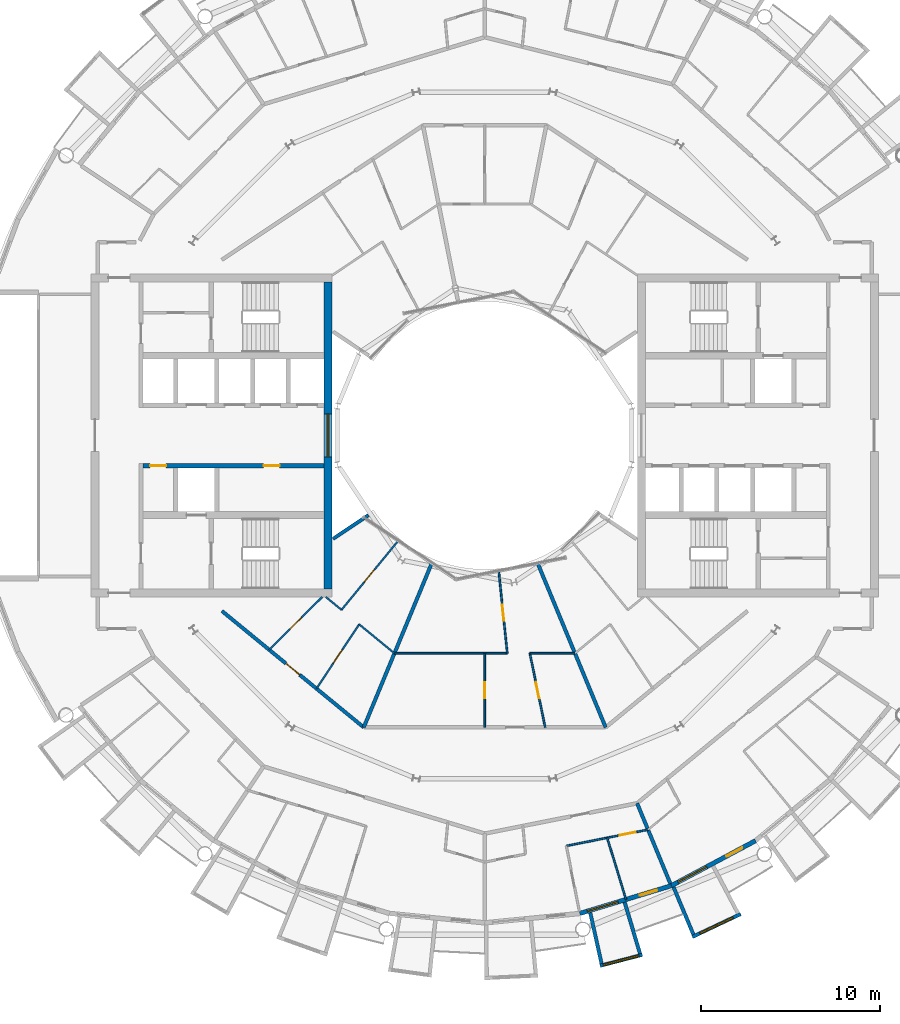
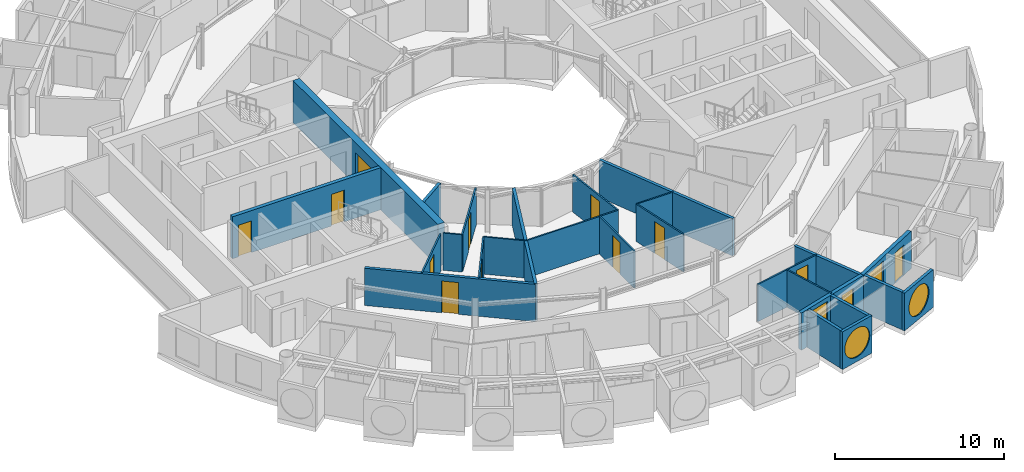
# One storey, part 17 of 27: 26 walls, 12 doors, 5 windows, 17 openings.
"""IFC4 building model written with IfcOpenShell, lengths in metres."""

from ifc_helpers import new_model, si_unit, direction, frame, frame_2d, origin, place, context, subcontext, project, spatial, rectangle, circle, extrude, material, layer, layer_set, type_object, element, fill, save


model = new_model("IFC4")

# Units and contexts
model_context = context("Model", 3, precision=1e-05, world=origin(), true_north=direction((0.0, 1.0)))
body_context = subcontext(model_context, "Body", "Model", "MODEL_VIEW")
ifc_project = project(units=[si_unit("LENGTHUNIT", "METRE"), si_unit("AREAUNIT", "SQUARE_METRE"), si_unit("VOLUMEUNIT", "CUBIC_METRE"), si_unit("PLANEANGLEUNIT", "RADIAN"), si_unit("MASSUNIT", "GRAM", prefix="KILO")], contexts=[model_context])

# Site, building, storey
site_placement = place(None, origin())
site = spatial("IfcSite", under=ifc_project, at=site_placement, CompositionType="ELEMENT")
building_placement = place(site_placement, origin())
building = spatial("IfcBuilding", under=site, at=building_placement, Name="Maasbend Ring Residences", CompositionType="ELEMENT")
storey_placement = place(building_placement, frame((0.0, 0.0, 199.35009765625)))
storey = spatial("IfcBuildingStorey", under=building, at=storey_placement, Name="L57", CompositionType="ELEMENT", Elevation=199.35009765625)

# Wall, openings, doors
ifc_material_1 = material(Name="Concrete C50/60", Category="concrete")
ifc_layer_1 = layer(ifc_material_1, 0.25)
ifc_layer_set_1 = layer_set([ifc_layer_1], Name="Concrete C50/60")
wall_type_1 = type_object("IfcWallType", Name="CORE WALL 250 C50/60", PredefinedType="SHEAR", material=ifc_layer_set_1)
wall_1_placement = place(storey_placement, frame((-9.0, -1.699951171875, 0.0), z_axis=(0.0, 0.0, 1.0), x_axis=(-1.0, 0.0, 0.0)))
wall_1 = element("IfcWall", 1, at=wall_1_placement, inside=storey, type_object=wall_type_1, Name="L57 core W wall SPN", PredefinedType="SHEAR", context=body_context, shape_type="SweptSolid", body=[
    extrude(rectangle(XDim=10.14990234375, YDim=0.25, at=frame_2d((5.074951171875, 0.0))), origin(), (0.0, 0.0, 1.0), 3.0498046875),
])
opening_1_placement = place(wall_1_placement, frame((2.487548828125, 0.0, 0.0)))
opening_1 = element("IfcOpeningElement", 2, at=opening_1_placement, cuts=wall_1, Name="Opening D-W5706", PredefinedType="OPENING", context=body_context, shape_type="SweptSolid", body=[
    extrude(rectangle(XDim=0.89990234375, YDim=2.300048828125, at=frame_2d((0.449951171875, 1.14990234375))), frame((0.0, 0.135009765625, 0.0), z_axis=(0.0, -1.0, 0.0), x_axis=(1.0, 0.0, 0.0)), (0.0, 0.0, 1.0), 0.27001953125),
])
opening_2_placement = place(wall_1_placement, frame((8.83740234375, 0.0, 0.0)))
opening_2 = element("IfcOpeningElement", 3, at=opening_2_placement, cuts=wall_1, Name="Opening D-W5707", PredefinedType="OPENING", context=body_context, shape_type="SweptSolid", body=[
    extrude(rectangle(XDim=0.89990234375, YDim=2.300048828125, at=frame_2d((0.449951171875, 1.14990234375))), frame((0.0, 0.135009765625, 0.0), z_axis=(0.0, -1.0, 0.0), x_axis=(1.0, 0.0, 0.0)), (0.0, 0.0, 1.0), 0.27001953125),
])
ifc_material_2 = material(Name="Steel, powder coated", Category="steel")
door_type_1 = type_object("IfcDoorType", Name="ROOM DOOR 900 X 2300 FD30S", OperationType="NOTDEFINED", PredefinedType="DOOR", material=ifc_material_2)
door_1_placement = place(opening_1_placement, origin())
door_1 = element("IfcDoor", 4, at=door_1_placement, inside=storey, type_object=door_type_1, Name="Room door L57", OperationType="SINGLE_SWING_RIGHT", OverallHeight=2.300048828125, OverallWidth=0.89990234375, PredefinedType="DOOR", context=body_context, shape_type="SweptSolid", body=[
    extrude(rectangle(XDim=0.89990234375, YDim=2.300048828125, at=frame_2d((0.449951171875, 1.14990234375))), frame((0.0, 0.02490234375, 0.0), z_axis=(0.0, -1.0, 0.0), x_axis=(1.0, 0.0, 0.0)), (0.0, 0.0, 1.0), 0.050048828125),
])
fill(opening_1, door_1)
door_2_placement = place(opening_2_placement, origin())
door_2 = element("IfcDoor", 5, at=door_2_placement, inside=storey, type_object=door_type_1, Name="Room door L57", OperationType="SINGLE_SWING_LEFT", OverallHeight=2.300048828125, OverallWidth=0.89990234375, PredefinedType="DOOR", context=body_context, shape_type="SweptSolid", body=[
    extrude(rectangle(XDim=0.89990234375, YDim=2.300048828125, at=frame_2d((0.449951171875, 1.14990234375))), frame((0.0, 0.02490234375, 0.0), z_axis=(0.0, -1.0, 0.0), x_axis=(1.0, 0.0, 0.0)), (0.0, 0.0, 1.0), 0.050048828125),
])
fill(opening_2, door_2)

# Wall, opening, window
ifc_material_3 = material(Name="Concrete C50/60", Category="concrete")
ifc_layer_2 = layer(ifc_material_3, 0.449951171875)
ifc_layer_set_2 = layer_set([ifc_layer_2], Name="Concrete C50/60")
wall_type_2 = type_object("IfcWallType", Name="CORE WALL 450 C50/60", PredefinedType="SHEAR", material=ifc_layer_set_2)
wall_2_placement = place(storey_placement, frame((-8.77490234375, 8.60009765625, 0.0), z_axis=(0.0, 0.0, 1.0), x_axis=(0.0, -1.0, 0.0)))
wall_2 = element("IfcWall", 6, at=wall_2_placement, inside=storey, type_object=wall_type_2, Name="L57 core W wall PIN", PredefinedType="SHEAR", context=body_context, shape_type="SweptSolid", body=[
    extrude(rectangle(XDim=17.2001953125, YDim=0.449951171875, at=frame_2d((8.60009765625, 0.0))), origin(), (0.0, 0.0, 1.0), 3.0498046875),
])
opening_3_placement = place(wall_2_placement, frame((7.39990234375, 0.0, 0.10009765625)))
opening_3 = element("IfcOpeningElement", 7, at=opening_3_placement, cuts=wall_2, Name="Opening W-W5701", PredefinedType="OPENING", context=body_context, shape_type="SweptSolid", body=[
    extrude(rectangle(XDim=2.39990234375, YDim=2.199951171875, at=frame_2d((1.199951171875, 1.10009765625))), frame((0.0, 0.23486328125, 0.0), z_axis=(0.0, -1.0, 0.0), x_axis=(1.0, 0.0, 0.0)), (0.0, 0.0, 1.0), 0.469970703125),
])
ifc_material_4 = material(Name="Aluminium frame and clear glass", Category="aluminium")
window_type_1 = type_object("IfcWindowType", Name="FIXED WINDOW 2400 X 2200", PartitioningType="SINGLE_PANEL", PredefinedType="WINDOW", material=ifc_material_4)
window_1_placement = place(opening_3_placement, origin())
window_1 = element("IfcWindow", 8, at=window_1_placement, inside=storey, type_object=window_type_1, Name="Lobby window L57", OverallHeight=2.199951171875, OverallWidth=2.39990234375, PartitioningType="SINGLE_PANEL", PredefinedType="WINDOW", context=body_context, shape_type="SweptSolid", body=[
    extrude(rectangle(XDim=2.39990234375, YDim=2.199951171875, at=frame_2d((1.199951171875, 1.10009765625))), frame((0.0, 0.030029296875, 0.0), z_axis=(0.0, -1.0, 0.0), x_axis=(1.0, 0.0, 0.0)), (0.0, 0.0, 1.0), 0.06005859375),
])
fill(opening_3, window_1)

# Wall, opening, door
ifc_material_5 = material(Name="Concrete C30/37", Category="concrete")
ifc_layer_3 = layer(ifc_material_5, 0.199951171875)
ifc_layer_set_3 = layer_set([ifc_layer_3], Name="Concrete C30/37")
wall_type_3 = type_object("IfcWallType", Name="CORRIDOR WALL 200 CONCRETE", PredefinedType="PARTITIONING", material=ifc_layer_set_3)
wall_3_placement = place(storey_placement, frame((-14.717041015625, -9.833984375, 0.0), z_axis=(0.0, 0.0, 1.0), x_axis=(0.773034536097, -0.634363938131, 0.0)))
wall_3 = element("IfcWall", 9, at=wall_3_placement, inside=storey, type_object=wall_type_3, Name="U-L57-w017", PredefinedType="PARTITIONING", context=body_context, shape_type="SweptSolid", body=[
    extrude(rectangle(XDim=10.276611328125, YDim=0.199951171875, at=frame_2d((5.13818359375, 0.0))), origin(), (0.0, 0.0, 1.0), 2.699951171875),
])
opening_4_placement = place(wall_3_placement, frame((4.637939453125, 0.0, 0.0)))
opening_4 = element("IfcOpeningElement", 10, at=opening_4_placement, cuts=wall_3, Name="Opening D-5749", PredefinedType="OPENING", context=body_context, shape_type="SweptSolid", body=[
    extrude(rectangle(XDim=1.0, YDim=2.300048828125, at=frame_2d((0.5, 1.14990234375))), frame((0.0, 0.10986328125, 0.0), z_axis=(0.0, -1.0, 0.0), x_axis=(1.0, 0.0, 0.0)), (0.0, 0.0, 1.0), 0.219970703125),
])
ifc_material_6 = material(Name="Timber, fire-rated, painted", Category="wood")
door_type_2 = type_object("IfcDoorType", Name="FLAT ENTRANCE DOOR 1000 X 2300 FIRE-RATED", OperationType="NOTDEFINED", PredefinedType="DOOR", material=ifc_material_6)
door_3_placement = place(opening_4_placement, origin())
door_3 = element("IfcDoor", 11, at=door_3_placement, inside=storey, type_object=door_type_2, Name="D-5749", OperationType="SINGLE_SWING_LEFT", OverallHeight=2.300048828125, OverallWidth=1.0, PredefinedType="DOOR", context=body_context, shape_type="SweptSolid", body=[
    extrude(rectangle(XDim=1.0, YDim=2.300048828125, at=frame_2d((0.5, 1.14990234375))), frame((0.0, 0.02490234375, 0.0), z_axis=(0.0, -1.0, 0.0), x_axis=(1.0, 0.0, 0.0)), (0.0, 0.0, 1.0), 0.050048828125),
])
fill(opening_4, door_3)

# Wall, opening, window
ifc_material_7 = material(Name="Pale anodised aluminium panel", Category="aluminium")
ifc_layer_4 = layer(ifc_material_7, 0.199951171875)
ifc_layer_set_4 = layer_set([ifc_layer_4], Name="EW-BOX")
wall_type_4 = type_object("IfcWallType", Name="EW-BOX", PredefinedType="SOLIDWALL", material=ifc_layer_set_4)
wall_4_placement = place(storey_placement, frame((6.4609375, -29.705078125, -0.030029296875), z_axis=(0.0, 0.0, 1.0), x_axis=(0.96789536872, 0.251353446784, 0.0)))
wall_4 = element("IfcWall", 12, at=wall_4_placement, inside=storey, type_object=wall_type_4, Name="Box front S13", PredefinedType="SOLIDWALL", context=body_context, shape_type="SweptSolid", body=[
    extrude(rectangle(XDim=2.44677734375, YDim=0.199951171875, at=frame_2d((1.223388671875, 0.0))), origin(), (0.0, 0.0, 1.0), 2.72998046875),
])
opening_5_placement = place(wall_4_placement, frame((0.182861328125, 0.0, 0.330078125)))
opening_5 = element("IfcOpeningElement", 13, at=opening_5_placement, cuts=wall_4, Name="Opening W-RD", PredefinedType="OPENING", context=body_context, shape_type="SweptSolid", body=[
    extrude(circle(Radius=1.0400390625, at=frame_2d((1.0400390625, 1.0400390625))), frame((0.0, 0.10986328125, 0.0), z_axis=(0.0, -1.0, 0.0), x_axis=(1.0, 0.0, 0.0)), (0.0, 0.0, 1.0), 0.219970703125),
])
ifc_material_8 = material(Name="Aluminium and clear glass", Category="aluminium")
window_type_2 = type_object("IfcWindowType", Name="W-RD", PartitioningType="SINGLE_PANEL", PredefinedType="WINDOW", material=ifc_material_8)
window_2_placement = place(opening_5_placement, origin())
window_2 = element("IfcWindow", 14, at=window_2_placement, inside=storey, type_object=window_type_2, Name="Round window S13", OverallHeight=2.080078125, OverallWidth=2.080078125, PartitioningType="SINGLE_PANEL", PredefinedType="WINDOW", context=body_context, shape_type="SweptSolid", body=[
    extrude(circle(Radius=1.0400390625, at=frame_2d((1.0400390625, 1.0400390625))), frame((0.0, 0.030029296875, 0.0), z_axis=(0.0, -1.0, 0.0), x_axis=(1.0, 0.0, 0.0)), (0.0, 0.0, 1.0), 0.06005859375),
])
fill(opening_5, window_2)

# Walls
wall_5_placement = place(storey_placement, frame((5.908935546875, -26.72900390625, -0.030029296875), z_axis=(0.0, 0.0, 1.0), x_axis=(0.216409053917, -0.976302781612, 0.0)))
element("IfcWall", 15, at=wall_5_placement, inside=storey, type_object=wall_type_4, Name="Box side wall S13 left", PredefinedType="SOLIDWALL", context=body_context, shape_type="SweptSolid", body=[
    extrude(rectangle(XDim=2.92529296875, YDim=0.199951171875, at=frame_2d((1.462646484375, 0.0))), origin(), (0.0, 0.0, 1.0), 2.72998046875),
])
wall_6_placement = place(storey_placement, frame((7.8369140625, -26.14404296875, -0.030029296875), z_axis=(0.0, 0.0, 1.0), x_axis=(0.287064767992, -0.957911174889, 0.0)))
element("IfcWall", 16, at=wall_6_placement, inside=storey, type_object=wall_type_4, Name="Box side wall S13 right", PredefinedType="SOLIDWALL", context=body_context, shape_type="SweptSolid", body=[
    extrude(rectangle(XDim=3.00634765625, YDim=0.199951171875, at=frame_2d((1.503173828125, 0.0))), origin(), (0.0, 0.0, 1.0), 2.72998046875),
])

# Wall, opening, window
wall_7_placement = place(storey_placement, frame((11.62890625, -28.087890625, -0.030029296875), z_axis=(0.0, 0.0, 1.0), x_axis=(0.904000060331, 0.427532327342, 0.0)))
wall_7 = element("IfcWall", 17, at=wall_7_placement, inside=storey, type_object=wall_type_4, Name="Box front S15", PredefinedType="SOLIDWALL", context=body_context, shape_type="SweptSolid", body=[
    extrude(rectangle(XDim=2.993408203125, YDim=0.199951171875, at=frame_2d((1.49658203125, 0.0))), origin(), (0.0, 0.0, 1.0), 2.72998046875),
])
opening_6_placement = place(wall_7_placement, frame((0.45654296875, 0.0, 0.330078125)))
opening_6 = element("IfcOpeningElement", 18, at=opening_6_placement, cuts=wall_7, Name="Opening W-RD", PredefinedType="OPENING", context=body_context, shape_type="SweptSolid", body=[
    extrude(circle(Radius=1.0400390625, at=frame_2d((1.0400390625, 1.0400390625))), frame((0.0, 0.10986328125, 0.0), z_axis=(0.0, -1.0, 0.0), x_axis=(1.0, 0.0, 0.0)), (0.0, 0.0, 1.0), 0.219970703125),
])
window_3_placement = place(opening_6_placement, origin())
window_3 = element("IfcWindow", 19, at=window_3_placement, inside=storey, type_object=window_type_2, Name="Round window S15", OverallHeight=2.080078125, OverallWidth=2.080078125, PartitioningType="SINGLE_PANEL", PredefinedType="WINDOW", context=body_context, shape_type="SweptSolid", body=[
    extrude(circle(Radius=1.0400390625, at=frame_2d((1.0400390625, 1.0400390625))), frame((0.0, 0.030029296875, 0.0), z_axis=(0.0, -1.0, 0.0), x_axis=(1.0, 0.0, 0.0)), (0.0, 0.0, 1.0), 0.06005859375),
])
fill(opening_6, window_3)

# Wall
wall_8_placement = place(storey_placement, frame((10.574951171875, -25.294921875, -0.030029296875), z_axis=(0.0, 0.0, 1.0), x_axis=(0.385697364644, -0.922625353492, 0.0)))
element("IfcWall", 20, at=wall_8_placement, inside=storey, type_object=wall_type_4, Name="Box side wall S15 left", PredefinedType="SOLIDWALL", context=body_context, shape_type="SweptSolid", body=[
    extrude(rectangle(XDim=2.88330078125, YDim=0.199951171875, at=frame_2d((1.441650390625, 0.0))), origin(), (0.0, 0.0, 1.0), 2.72998046875),
])

# Wall, openings, door, window
ifc_material_9 = material(Name="Aluminium clad insulated panel", Category="aluminium")
ifc_layer_5 = layer(ifc_material_9, 0.25)
ifc_layer_set_5 = layer_set([ifc_layer_5], Name="EW-GL")
wall_type_5 = type_object("IfcWallType", Name="EW-GL", PredefinedType="SOLIDWALL", material=ifc_layer_set_5)
wall_9_placement = place(storey_placement, frame((5.325927734375, -26.77490234375, 0.0), z_axis=(0.0, 0.0, 1.0), x_axis=(0.956965678721, 0.290201119486, 0.0)))
wall_9 = element("IfcWall", 21, at=wall_9_placement, inside=storey, type_object=wall_type_5, Name="External wall S07", PredefinedType="SOLIDWALL", context=body_context, shape_type="SweptSolid", body=[
    extrude(rectangle(XDim=5.351318359375, YDim=0.25, at=frame_2d((2.67578125, 0.0))), origin(), (0.0, 0.0, 1.0), 2.699951171875),
])
opening_7_placement = place(wall_9_placement, frame((0.441162109375, 0.0, 0.300048828125)))
opening_7 = element("IfcOpeningElement", 22, at=opening_7_placement, cuts=wall_9, Name="Opening W-BX", PredefinedType="OPENING", context=body_context, shape_type="SweptSolid", body=[
    extrude(rectangle(XDim=1.800048828125, YDim=2.10009765625, at=frame_2d((0.89990234375, 1.050048828125))), frame((0.0, 0.135009765625, 0.0), z_axis=(0.0, -1.0, 0.0), x_axis=(1.0, 0.0, 0.0)), (0.0, 0.0, 1.0), 0.27001953125),
])
opening_8_placement = place(wall_9_placement, frame((3.510498046875, 0.0, 0.0)))
opening_8 = element("IfcOpeningElement", 23, at=opening_8_placement, cuts=wall_9, Name="Opening D-LG", PredefinedType="OPENING", context=body_context, shape_type="SweptSolid", body=[
    extrude(rectangle(XDim=1.0, YDim=2.199951171875, at=frame_2d((0.5, 1.10009765625))), frame((0.0, 0.135009765625, 0.0), z_axis=(0.0, -1.0, 0.0), x_axis=(1.0, 0.0, 0.0)), (0.0, 0.0, 1.0), 0.27001953125),
])
ifc_material_10 = material(Name="Aluminium and clear glass", Category="aluminium")
door_type_3 = type_object("IfcDoorType", Name="D-LG", OperationType="SINGLE_SWING_LEFT", PredefinedType="DOOR", material=ifc_material_10)
door_4_placement = place(opening_8_placement, origin())
door_4 = element("IfcDoor", 24, at=door_4_placement, inside=storey, type_object=door_type_3, Name="Loggia door S14", OperationType="SINGLE_SWING_LEFT", OverallHeight=2.199951171875, OverallWidth=1.0, PredefinedType="DOOR", context=body_context, shape_type="SweptSolid", body=[
    extrude(rectangle(XDim=1.0, YDim=2.199951171875, at=frame_2d((0.5, 1.10009765625))), frame((0.0, 0.02490234375, 0.0), z_axis=(0.0, -1.0, 0.0), x_axis=(1.0, 0.0, 0.0)), (0.0, 0.0, 1.0), 0.050048828125),
])
fill(opening_8, door_4)
ifc_material_11 = material(Name="Aluminium and clear glass", Category="aluminium")
window_type_3 = type_object("IfcWindowType", Name="W-BX", PartitioningType="DOUBLE_PANEL_VERTICAL", PredefinedType="WINDOW", material=ifc_material_11)
window_4_placement = place(opening_7_placement, origin())
window_4 = element("IfcWindow", 25, at=window_4_placement, inside=storey, type_object=window_type_3, Name="Window S13 room to box", OverallHeight=2.10009765625, OverallWidth=1.800048828125, PartitioningType="SINGLE_PANEL", PredefinedType="WINDOW", context=body_context, shape_type="SweptSolid", body=[
    extrude(rectangle(XDim=1.800048828125, YDim=2.10009765625, at=frame_2d((0.89990234375, 1.050048828125))), frame((0.0, 0.030029296875, 0.0), z_axis=(0.0, -1.0, 0.0), x_axis=(1.0, 0.0, 0.0)), (0.0, 0.0, 1.0), 0.06005859375),
])
fill(opening_7, window_4)

wall_10_placement = place(storey_placement, frame((10.447021484375, -25.221923828125, 0.0), z_axis=(0.0, 0.0, 1.0), x_axis=(0.881915646801, 0.471407246368, 0.0)))
wall_10 = element("IfcWall", 26, at=wall_10_placement, inside=storey, type_object=wall_type_5, Name="External wall S08", PredefinedType="SOLIDWALL", context=body_context, shape_type="SweptSolid", body=[
    extrude(rectangle(XDim=5.35205078125, YDim=0.25, at=frame_2d((2.676025390625, 0.0))), origin(), (0.0, 0.0, 1.0), 2.699951171875),
])
opening_9_placement = place(wall_10_placement, frame((0.441162109375, 0.0, 0.300048828125)))
opening_9 = element("IfcOpeningElement", 27, at=opening_9_placement, cuts=wall_10, Name="Opening W-BX", PredefinedType="OPENING", context=body_context, shape_type="SweptSolid", body=[
    extrude(rectangle(XDim=1.800048828125, YDim=2.10009765625, at=frame_2d((0.89990234375, 1.050048828125))), frame((0.0, 0.135009765625, 0.0), z_axis=(0.0, -1.0, 0.0), x_axis=(1.0, 0.0, 0.0)), (0.0, 0.0, 1.0), 0.27001953125),
])
opening_10_placement = place(wall_10_placement, frame((3.510498046875, 0.0, 0.0)))
opening_10 = element("IfcOpeningElement", 28, at=opening_10_placement, cuts=wall_10, Name="Opening D-LG", PredefinedType="OPENING", context=body_context, shape_type="SweptSolid", body=[
    extrude(rectangle(XDim=1.0, YDim=2.199951171875, at=frame_2d((0.5, 1.10009765625))), frame((0.0, 0.135009765625, 0.0), z_axis=(0.0, -1.0, 0.0), x_axis=(1.0, 0.0, 0.0)), (0.0, 0.0, 1.0), 0.27001953125),
])
door_5_placement = place(opening_10_placement, origin())
door_5 = element("IfcDoor", 29, at=door_5_placement, inside=storey, type_object=door_type_3, Name="Loggia door S16", OperationType="SINGLE_SWING_LEFT", OverallHeight=2.199951171875, OverallWidth=1.0, PredefinedType="DOOR", context=body_context, shape_type="SweptSolid", body=[
    extrude(rectangle(XDim=1.0, YDim=2.199951171875, at=frame_2d((0.5, 1.10009765625))), frame((0.0, 0.02490234375, 0.0), z_axis=(0.0, -1.0, 0.0), x_axis=(1.0, 0.0, 0.0)), (0.0, 0.0, 1.0), 0.050048828125),
])
fill(opening_10, door_5)
window_5_placement = place(opening_9_placement, origin())
window_5 = element("IfcWindow", 30, at=window_5_placement, inside=storey, type_object=window_type_3, Name="Window S15 room to box", OverallHeight=2.10009765625, OverallWidth=1.800048828125, PartitioningType="SINGLE_PANEL", PredefinedType="WINDOW", context=body_context, shape_type="SweptSolid", body=[
    extrude(rectangle(XDim=1.800048828125, YDim=2.10009765625, at=frame_2d((0.89990234375, 1.050048828125))), frame((0.0, 0.030029296875, 0.0), z_axis=(0.0, -1.0, 0.0), x_axis=(1.0, 0.0, 0.0)), (0.0, 0.0, 1.0), 0.06005859375),
])
fill(opening_9, window_5)

# Wall, opening, door
ifc_material_12 = material(Name="Gypsum board on steel studs", Category="steel")
ifc_layer_6 = layer(ifc_material_12, 0.10009765625)
ifc_layer_set_6 = layer_set([ifc_layer_6], Name="PARTITION 100 GYPSUM")
wall_type_6 = type_object("IfcWallType", Name="PARTITION 100 GYPSUM", PredefinedType="PARTITIONING", material=ifc_layer_set_6)
wall_11_placement = place(storey_placement, frame((4.576904296875, -22.989013671875, 0.0), z_axis=(0.0, 0.0, 1.0), x_axis=(0.980813600024, 0.194947895622, 0.0)))
wall_11 = element("IfcWall", 31, at=wall_11_placement, inside=storey, type_object=wall_type_6, Name="U-L57-w004", PredefinedType="PARTITIONING", context=body_context, shape_type="SweptSolid", body=[
    extrude(rectangle(XDim=4.662353515625, YDim=0.10009765625, at=frame_2d((2.3310546875, 0.0))), origin(), (0.0, 0.0, 1.0), 2.699951171875),
])
opening_11_placement = place(wall_11_placement, frame((3.04296875, 0.0, 0.0)))
opening_11 = element("IfcOpeningElement", 32, at=opening_11_placement, cuts=wall_11, Name="Opening D-5743", PredefinedType="OPENING", context=body_context, shape_type="SweptSolid", body=[
    extrude(rectangle(XDim=0.89990234375, YDim=2.300048828125, at=frame_2d((0.449951171875, 1.14990234375))), frame((0.0, 0.06005859375, 0.0), z_axis=(0.0, -1.0, 0.0), x_axis=(1.0, 0.0, 0.0)), (0.0, 0.0, 1.0), 0.1201171875),
])
ifc_material_13 = material(Name="Timber, painted", Category="wood")
door_type_4 = type_object("IfcDoorType", Name="INTERNAL DOOR 900 X 2300", OperationType="NOTDEFINED", PredefinedType="DOOR", material=ifc_material_13)
door_6_placement = place(opening_11_placement, origin())
door_6 = element("IfcDoor", 33, at=door_6_placement, inside=storey, type_object=door_type_4, Name="D-5743", OperationType="SINGLE_SWING_RIGHT", OverallHeight=2.300048828125, OverallWidth=0.89990234375, PredefinedType="DOOR", context=body_context, shape_type="SweptSolid", body=[
    extrude(rectangle(XDim=0.89990234375, YDim=2.300048828125, at=frame_2d((0.449951171875, 1.14990234375))), frame((0.0, 0.02490234375, 0.0), z_axis=(0.0, -1.0, 0.0), x_axis=(1.0, 0.0, 0.0)), (0.0, 0.0, 1.0), 0.050048828125),
])
fill(opening_11, door_6)

# Walls
wall_12_placement = place(storey_placement, frame((-8.90087890625, -9.047119140625, 0.0), z_axis=(0.0, 0.0, 1.0), x_axis=(0.772786083133, -0.634666581534, 0.0)))
element("IfcWall", 34, at=wall_12_placement, inside=storey, type_object=wall_type_6, Name="U-L57-w020", PredefinedType="PARTITIONING", context=body_context, shape_type="SweptSolid", body=[
    extrude(rectangle(XDim=1.1435546875, YDim=0.10009765625, at=frame_2d((0.57177734375, 0.0))), origin(), (0.0, 0.0, 1.0), 2.699951171875),
])
wall_13_placement = place(storey_placement, frame((-7.031005859375, -10.58203125, 0.0), z_axis=(0.0, 0.0, 1.0), x_axis=(0.772943675046, -0.634474645046, 0.0)))
element("IfcWall", 35, at=wall_13_placement, inside=storey, type_object=wall_type_6, Name="U-L57-w021", PredefinedType="PARTITIONING", context=body_context, shape_type="SweptSolid", body=[
    extrude(rectangle(XDim=2.556640625, YDim=0.10009765625, at=frame_2d((1.2783203125, 0.0))), origin(), (0.0, 0.0, 1.0), 2.699951171875),
])
wall_14_placement = place(storey_placement, frame((-5.054931640625, -12.2041015625, 0.0), z_axis=(0.0, 0.0, 1.0), x_axis=(1.0, 0.0, 0.0)))
element("IfcWall", 36, at=wall_14_placement, inside=storey, type_object=wall_type_6, Name="U-L57-w024", PredefinedType="PARTITIONING", context=body_context, shape_type="SweptSolid", body=[
    extrude(rectangle(XDim=6.31884765625, YDim=0.10009765625, at=frame_2d((3.159423828125, 0.0))), origin(), (0.0, 0.0, 1.0), 2.699951171875),
])
wall_15_placement = place(storey_placement, frame((2.527099609375, -12.2041015625, 0.0), z_axis=(0.0, 0.0, 1.0), x_axis=(1.0, 0.0, 0.0)))
element("IfcWall", 37, at=wall_15_placement, inside=storey, type_object=wall_type_6, Name="U-L57-w025", PredefinedType="PARTITIONING", context=body_context, shape_type="SweptSolid", body=[
    extrude(rectangle(XDim=2.52783203125, YDim=0.10009765625, at=frame_2d((1.263916015625, 0.0))), origin(), (0.0, 0.0, 1.0), 2.699951171875),
])

# Wall, opening, door
wall_16_placement = place(storey_placement, frame((-12.069091796875, -12.007080078125, 0.0), z_axis=(0.0, 0.0, 1.0), x_axis=(0.708909651863, 0.705299302067, 0.0)))
wall_16 = element("IfcWall", 38, at=wall_16_placement, inside=storey, type_object=wall_type_6, Name="U-L57-w043", PredefinedType="PARTITIONING", context=body_context, shape_type="SweptSolid", body=[
    extrude(rectangle(XDim=4.192626953125, YDim=0.10009765625, at=frame_2d((2.09619140625, 0.0))), origin(), (0.0, 0.0, 1.0), 2.699951171875),
])
opening_12_placement = place(wall_16_placement, frame((1.64599609375, 0.0, 0.0)))
opening_12 = element("IfcOpeningElement", 39, at=opening_12_placement, cuts=wall_16, Name="Opening D-5751", PredefinedType="OPENING", context=body_context, shape_type="SweptSolid", body=[
    extrude(rectangle(XDim=0.89990234375, YDim=2.300048828125, at=frame_2d((0.449951171875, 1.14990234375))), frame((0.0, 0.06005859375, 0.0), z_axis=(0.0, -1.0, 0.0), x_axis=(1.0, 0.0, 0.0)), (0.0, 0.0, 1.0), 0.1201171875),
])
door_7_placement = place(opening_12_placement, origin())
door_7 = element("IfcDoor", 40, at=door_7_placement, inside=storey, type_object=door_type_4, Name="D-5751", OperationType="SINGLE_SWING_LEFT", OverallHeight=2.300048828125, OverallWidth=0.89990234375, PredefinedType="DOOR", context=body_context, shape_type="SweptSolid", body=[
    extrude(rectangle(XDim=0.89990234375, YDim=2.300048828125, at=frame_2d((0.449951171875, 1.14990234375))), frame((0.0, 0.02490234375, 0.0), z_axis=(0.0, -1.0, 0.0), x_axis=(1.0, 0.0, 0.0)), (0.0, 0.0, 1.0), 0.050048828125),
])
fill(opening_12, door_7)

wall_17_placement = place(storey_placement, frame((-9.4208984375, -14.179931640625, 0.0), z_axis=(0.0, 0.0, 1.0), x_axis=(0.553303732327, 0.832979579457, 0.0)))
wall_17 = element("IfcWall", 41, at=wall_17_placement, inside=storey, type_object=wall_type_6, Name="U-L57-w046", PredefinedType="PARTITIONING", context=body_context, shape_type="SweptSolid", body=[
    extrude(rectangle(XDim=4.3193359375, YDim=0.10009765625, at=frame_2d((2.15966796875, 0.0))), origin(), (0.0, 0.0, 1.0), 2.699951171875),
])
opening_13_placement = place(wall_17_placement, frame((1.7099609375, 0.0, 0.0)))
opening_13 = element("IfcOpeningElement", 42, at=opening_13_placement, cuts=wall_17, Name="Opening D-5750", PredefinedType="OPENING", context=body_context, shape_type="SweptSolid", body=[
    extrude(rectangle(XDim=0.89990234375, YDim=2.300048828125, at=frame_2d((0.449951171875, 1.14990234375))), frame((0.0, 0.06005859375, 0.0), z_axis=(0.0, -1.0, 0.0), x_axis=(1.0, 0.0, 0.0)), (0.0, 0.0, 1.0), 0.1201171875),
])
door_8_placement = place(opening_13_placement, origin())
door_8 = element("IfcDoor", 43, at=door_8_placement, inside=storey, type_object=door_type_4, Name="D-5750", OperationType="SINGLE_SWING_RIGHT", OverallHeight=2.300048828125, OverallWidth=0.89990234375, PredefinedType="DOOR", context=body_context, shape_type="SweptSolid", body=[
    extrude(rectangle(XDim=0.89990234375, YDim=2.300048828125, at=frame_2d((0.449951171875, 1.14990234375))), frame((0.0, 0.02490234375, 0.0), z_axis=(0.0, -1.0, 0.0), x_axis=(1.0, 0.0, 0.0)), (0.0, 0.0, 1.0), 0.050048828125),
])
fill(opening_13, door_8)

wall_18_placement = place(storey_placement, frame((-8.01904296875, -9.77099609375, 0.0), z_axis=(0.0, 0.0, 1.0), x_axis=(0.634401778971, 0.773003481776, 0.0)))
wall_18 = element("IfcWall", 44, at=wall_18_placement, inside=storey, type_object=wall_type_6, Name="U-L57-w048", PredefinedType="PARTITIONING", context=body_context, shape_type="SweptSolid", body=[
    extrude(rectangle(XDim=4.919677734375, YDim=0.10009765625, at=frame_2d((2.4599609375, 0.0))), origin(), (0.0, 0.0, 1.0), 2.699951171875),
])
opening_14_placement = place(wall_18_placement, frame((2.010009765625, 0.0, 0.0)))
opening_14 = element("IfcOpeningElement", 45, at=opening_14_placement, cuts=wall_18, Name="Opening D-5752", PredefinedType="OPENING", context=body_context, shape_type="SweptSolid", body=[
    extrude(rectangle(XDim=0.89990234375, YDim=2.300048828125, at=frame_2d((0.449951171875, 1.14990234375))), frame((0.0, 0.06005859375, 0.0), z_axis=(0.0, -1.0, 0.0), x_axis=(1.0, 0.0, 0.0)), (0.0, 0.0, 1.0), 0.1201171875),
])
door_9_placement = place(opening_14_placement, origin())
door_9 = element("IfcDoor", 46, at=door_9_placement, inside=storey, type_object=door_type_4, Name="D-5752", OperationType="SINGLE_SWING_LEFT", OverallHeight=2.300048828125, OverallWidth=0.89990234375, PredefinedType="DOOR", context=body_context, shape_type="SweptSolid", body=[
    extrude(rectangle(XDim=0.89990234375, YDim=2.300048828125, at=frame_2d((0.449951171875, 1.14990234375))), frame((0.0, 0.02490234375, 0.0), z_axis=(0.0, -1.0, 0.0), x_axis=(1.0, 0.0, 0.0)), (0.0, 0.0, 1.0), 0.050048828125),
])
fill(opening_14, door_9)

wall_19_placement = place(storey_placement, frame((0.0, -16.35302734375, 0.0), z_axis=(0.0, 0.0, 1.0), x_axis=(0.0, 1.0, 0.0)))
wall_19 = element("IfcWall", 47, at=wall_19_placement, inside=storey, type_object=wall_type_6, Name="U-L57-w059", PredefinedType="PARTITIONING", context=body_context, shape_type="SweptSolid", body=[
    extrude(rectangle(XDim=4.14892578125, YDim=0.10009765625, at=frame_2d((2.074462890625, 0.0))), origin(), (0.0, 0.0, 1.0), 2.699951171875),
])
opening_15_placement = place(wall_19_placement, frame((1.625, 0.0, 0.0)))
opening_15 = element("IfcOpeningElement", 48, at=opening_15_placement, cuts=wall_19, Name="Opening D-5755", PredefinedType="OPENING", context=body_context, shape_type="SweptSolid", body=[
    extrude(rectangle(XDim=0.89990234375, YDim=2.300048828125, at=frame_2d((0.449951171875, 1.14990234375))), frame((0.0, 0.06005859375, 0.0), z_axis=(0.0, -1.0, 0.0), x_axis=(1.0, 0.0, 0.0)), (0.0, 0.0, 1.0), 0.1201171875),
])
door_10_placement = place(opening_15_placement, origin())
door_10 = element("IfcDoor", 49, at=door_10_placement, inside=storey, type_object=door_type_4, Name="D-5755", OperationType="SINGLE_SWING_RIGHT", OverallHeight=2.300048828125, OverallWidth=0.89990234375, PredefinedType="DOOR", context=body_context, shape_type="SweptSolid", body=[
    extrude(rectangle(XDim=0.89990234375, YDim=2.300048828125, at=frame_2d((0.449951171875, 1.14990234375))), frame((0.0, 0.02490234375, 0.0), z_axis=(0.0, -1.0, 0.0), x_axis=(1.0, 0.0, 0.0)), (0.0, 0.0, 1.0), 0.050048828125),
])
fill(opening_15, door_10)

wall_20_placement = place(storey_placement, frame((0.794921875, -7.678955078125, 0.0), z_axis=(0.0, 0.0, 1.0), x_axis=(0.103089563582, -0.994672077561, 0.0)))
wall_20 = element("IfcWall", 50, at=wall_20_placement, inside=storey, type_object=wall_type_6, Name="U-L57-w062", PredefinedType="PARTITIONING", context=body_context, shape_type="SweptSolid", body=[
    extrude(rectangle(XDim=4.54931640625, YDim=0.10009765625, at=frame_2d((2.274658203125, 0.0))), origin(), (0.0, 0.0, 1.0), 2.699951171875),
])
opening_16_placement = place(wall_20_placement, frame((1.824951171875, 0.0, 0.0)))
opening_16 = element("IfcOpeningElement", 51, at=opening_16_placement, cuts=wall_20, Name="Opening D-5756", PredefinedType="OPENING", context=body_context, shape_type="SweptSolid", body=[
    extrude(rectangle(XDim=0.89990234375, YDim=2.300048828125, at=frame_2d((0.449951171875, 1.14990234375))), frame((0.0, 0.06005859375, 0.0), z_axis=(0.0, -1.0, 0.0), x_axis=(1.0, 0.0, 0.0)), (0.0, 0.0, 1.0), 0.1201171875),
])
door_11_placement = place(opening_16_placement, origin())
door_11 = element("IfcDoor", 52, at=door_11_placement, inside=storey, type_object=door_type_4, Name="D-5756", OperationType="SINGLE_SWING_RIGHT", OverallHeight=2.300048828125, OverallWidth=0.89990234375, PredefinedType="DOOR", context=body_context, shape_type="SweptSolid", body=[
    extrude(rectangle(XDim=0.89990234375, YDim=2.300048828125, at=frame_2d((0.449951171875, 1.14990234375))), frame((0.0, 0.02490234375, 0.0), z_axis=(0.0, -1.0, 0.0), x_axis=(1.0, 0.0, 0.0)), (0.0, 0.0, 1.0), 0.050048828125),
])
fill(opening_16, door_11)

wall_21_placement = place(storey_placement, frame((2.527099609375, -12.2041015625, 0.0), z_axis=(0.0, 0.0, 1.0), x_axis=(0.202937120105, -0.979191771454, 0.0)))
wall_21 = element("IfcWall", 53, at=wall_21_placement, inside=storey, type_object=wall_type_6, Name="U-L57-w064", PredefinedType="PARTITIONING", context=body_context, shape_type="SweptSolid", body=[
    extrude(rectangle(XDim=4.237060546875, YDim=0.10009765625, at=frame_2d((2.11865234375, 0.0))), origin(), (0.0, 0.0, 1.0), 2.699951171875),
])
opening_17_placement = place(wall_21_placement, frame((1.6689453125, 0.0, 0.0)))
opening_17 = element("IfcOpeningElement", 54, at=opening_17_placement, cuts=wall_21, Name="Opening D-5754", PredefinedType="OPENING", context=body_context, shape_type="SweptSolid", body=[
    extrude(rectangle(XDim=0.89990234375, YDim=2.300048828125, at=frame_2d((0.449951171875, 1.14990234375))), frame((0.0, 0.06005859375, 0.0), z_axis=(0.0, -1.0, 0.0), x_axis=(1.0, 0.0, 0.0)), (0.0, 0.0, 1.0), 0.1201171875),
])
door_12_placement = place(opening_17_placement, origin())
door_12 = element("IfcDoor", 55, at=door_12_placement, inside=storey, type_object=door_type_4, Name="D-5754", OperationType="SINGLE_SWING_RIGHT", OverallHeight=2.300048828125, OverallWidth=0.89990234375, PredefinedType="DOOR", context=body_context, shape_type="SweptSolid", body=[
    extrude(rectangle(XDim=0.89990234375, YDim=2.300048828125, at=frame_2d((0.449951171875, 1.14990234375))), frame((0.0, 0.02490234375, 0.0), z_axis=(0.0, -1.0, 0.0), x_axis=(1.0, 0.0, 0.0)), (0.0, 0.0, 1.0), 0.050048828125),
])
fill(opening_17, door_12)

# Walls
wall_22_placement = place(storey_placement, frame((6.860107421875, -22.535888671875, 0.0), z_axis=(0.0, 0.0, 1.0), x_axis=(0.291054201552, -0.956706565128, 0.0)))
element("IfcWall", 56, at=wall_22_placement, inside=storey, type_object=wall_type_6, Name="U-L57-w074", PredefinedType="PARTITIONING", context=body_context, shape_type="SweptSolid", body=[
    extrude(rectangle(XDim=3.617919921875, YDim=0.10009765625, at=frame_2d((1.80908203125, 0.0))), origin(), (0.0, 0.0, 1.0), 2.699951171875),
])
ifc_material_14 = material(Name="Concrete C30/37", Category="concrete")
ifc_layer_7 = layer(ifc_material_14, 0.199951171875)
ifc_layer_set_7 = layer_set([ifc_layer_7], Name="Concrete C30/37")
wall_type_7 = type_object("IfcWallType", Name="PARTY WALL 200 CONCRETE", PredefinedType="PARTITIONING", material=ifc_layer_set_7)
wall_23_placement = place(storey_placement, frame((-6.512939453125, -4.471923828125, 0.0), z_axis=(0.0, 0.0, 1.0), x_axis=(-0.831403409976, -0.555669299026, 0.0)))
element("IfcWall", 57, at=wall_23_placement, inside=storey, type_object=wall_type_7, Name="U-L57-w028", PredefinedType="PARTITIONING", context=body_context, shape_type="SweptSolid", body=[
    extrude(rectangle(XDim=2.382568359375, YDim=0.199951171875, at=frame_2d((1.19140625, 0.0))), origin(), (0.0, 0.0, 1.0), 2.699951171875),
])
for number, where, z_axis, x_axis, name in (
    (58, (-6.77392578125, -16.35302734375, 0.0), (0.0, 0.0, 1.0), (0.382716169203, 0.92386597179, 0.0), "U-L57-w051"),
    (59, (2.9541015625, -7.132080078125, 0.0), (0.0, 0.0, 1.0), (0.382716169203, -0.92386597179, 0.0), "U-L57-w066"),
):
    element("IfcWall", number, at=place(storey_placement, frame(where, z_axis=z_axis, x_axis=x_axis)), inside=storey, type_object=wall_type_7, Name=name, PredefinedType="PARTITIONING", context=body_context, shape_type="SweptSolid", body=[
        extrude(rectangle(XDim=9.980712890625, YDim=0.199951171875, at=frame_2d((4.990234375, 0.0))), origin(), (0.0, 0.0, 1.0), 2.699951171875),
    ])
wall_24_placement = place(storey_placement, frame((8.533935546875, -20.60302734375, 0.0), z_axis=(0.0, 0.0, 1.0), x_axis=(0.382651153718, -0.923892902104, 0.0)))
element("IfcWall", 60, at=wall_24_placement, inside=storey, type_object=wall_type_7, Name="U-L57-w076", PredefinedType="PARTITIONING", context=body_context, shape_type="SweptSolid", body=[
    extrude(rectangle(XDim=4.873779296875, YDim=0.199951171875, at=frame_2d((2.43701171875, 0.0))), origin(), (0.0, 0.0, 1.0), 2.699951171875),
])

save(model, "model.ifc")
